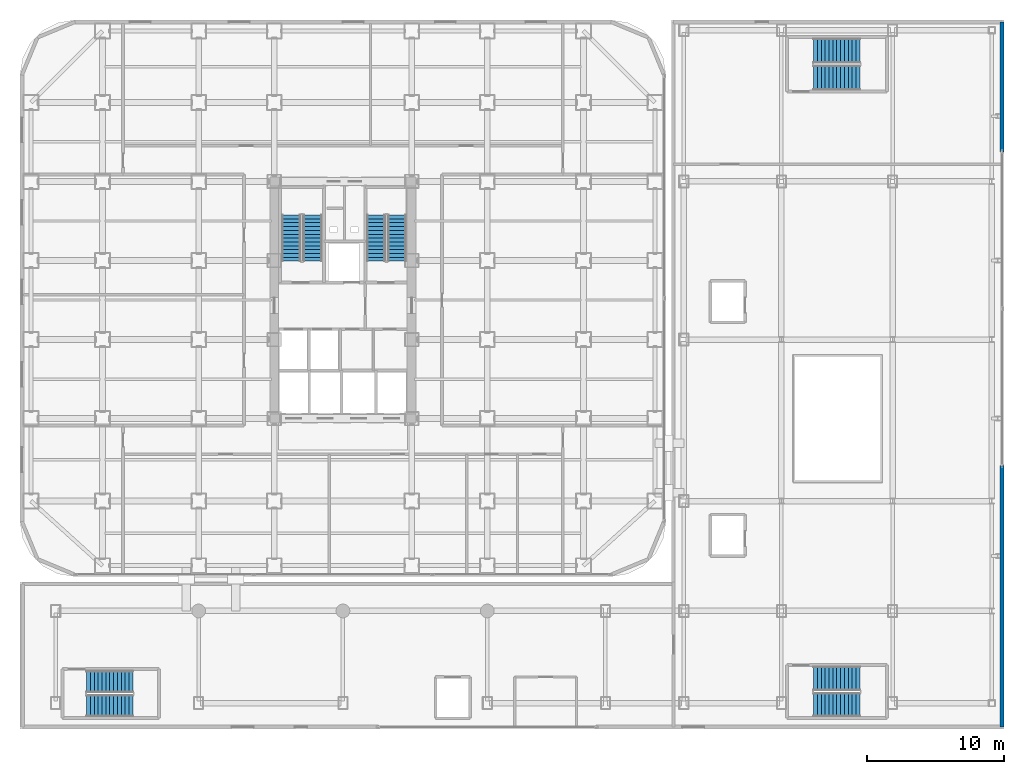
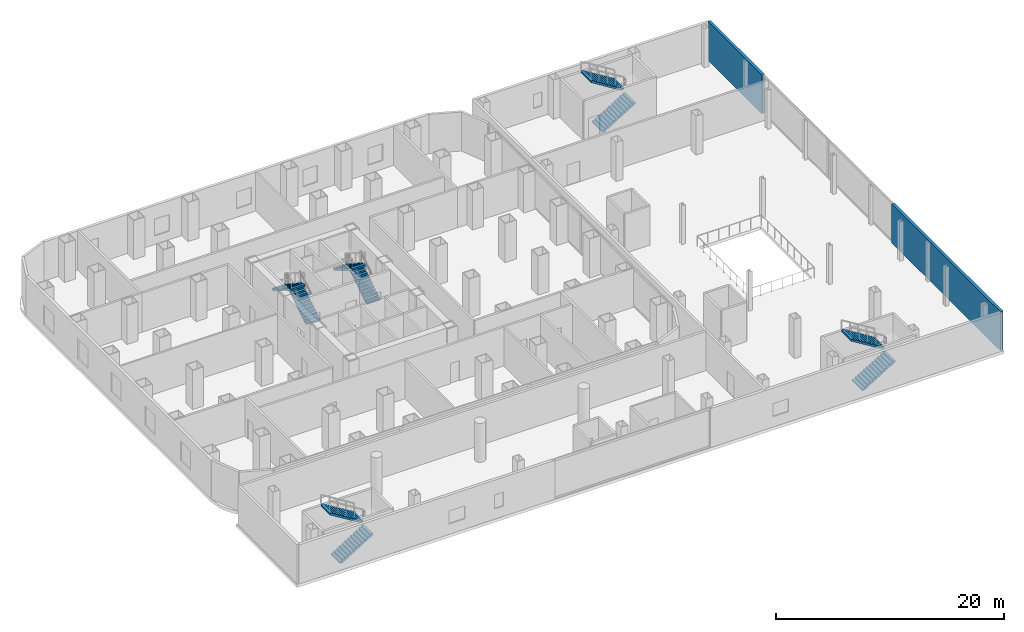
# One storey, part 22 of 26: 10 stair flights, 2 walls, 5 elements without a shape of their own.
"""IFC4 building model written with IfcOpenShell, lengths in metres."""

from ifc_helpers import new_model, si_unit, direction, frame, frame_2d, origin, place, context, subcontext, project, spatial, polyline, rectangle, outline, extrude, material, layer, layer_set, type_object, element, aggregate, save


model = new_model("IFC4")

# Units and contexts
model_context = context("Model", 3, precision=1e-05, world=origin(), true_north=direction((0.0, 1.0)))
body_context = subcontext(model_context, "Body", "Model", "MODEL_VIEW")
ifc_project = project(units=[si_unit("LENGTHUNIT", "METRE"), si_unit("AREAUNIT", "SQUARE_METRE"), si_unit("VOLUMEUNIT", "CUBIC_METRE"), si_unit("PLANEANGLEUNIT", "RADIAN"), si_unit("MASSUNIT", "GRAM", prefix="KILO")], contexts=[model_context])

# Site, building, storey
site_placement = place(None, origin())
site = spatial("IfcSite", under=ifc_project, at=site_placement, CompositionType="ELEMENT")
building_placement = place(site_placement, origin())
building = spatial("IfcBuilding", under=site, at=building_placement, Name="Kolveth Station Tower", CompositionType="ELEMENT")
storey_placement = place(building_placement, frame((0.0, 0.0, 9.0)))
storey = spatial("IfcBuildingStorey", under=building, at=storey_placement, Name="L02", CompositionType="ELEMENT", Elevation=9.0)

# Walls
ifc_material_1 = material(Name="Precast concrete C40/50", Category="concrete")
ifc_layer_1 = layer(ifc_material_1, 0.280029296875)
ifc_layer_set_1 = layer_set([ifc_layer_1], Name="Precast concrete C40/50")
wall_type = type_object("IfcWallType", Name="Wall_EW-280", PredefinedType="SOLIDWALL", material=ifc_layer_set_1)
wall_1_placement = place(storey_placement, frame((71.449951171875, -10.949951171875, 0.0), z_axis=(0.0, 0.0, 1.0), x_axis=(0.0, 1.0, 0.0)))
element("IfcWall", 1, at=wall_1_placement, inside=storey, type_object=wall_type, Name="L02 Station Exterior Wall E1", PredefinedType="SOLIDWALL", context=body_context, shape_type="SweptSolid", body=[
    extrude(rectangle(XDim=19.050048828125, YDim=0.280029296875, at=frame_2d((9.52490234375, 0.0))), origin(), (0.0, 0.0, 1.0), 4.179931640625),
])
wall_2_placement = place(storey_placement, frame((71.449951171875, 30.89990234375, 0.0), z_axis=(0.0, 0.0, 1.0), x_axis=(0.0, 1.0, 0.0)))
element("IfcWall", 2, at=wall_2_placement, inside=storey, type_object=wall_type, Name="L02 Station Exterior Wall E2", PredefinedType="SOLIDWALL", context=body_context, shape_type="SweptSolid", body=[
    extrude(rectangle(XDim=9.4501953125, YDim=0.280029296875, at=frame_2d((4.72509765625, 0.0))), origin(), (0.0, 0.0, 1.0), 4.179931640625),
])

# Stair, stair flights
ifc_material_2 = material(Name="Concrete C40/50", Category="concrete")
stair_type_1 = type_object("IfcStairType", Name="Stair_ST1", PredefinedType="HALF_TURN_STAIR", material=ifc_material_2)
stair_1_placement = place(storey_placement, origin())
stair_1 = element("IfcStair", 3, at=stair_1_placement, inside=storey, type_object=stair_type_1, Name="L02 Tower Exit Stair ST1", PredefinedType="HALF_TURN_STAIR")
ifc_layer_2 = layer(ifc_material_2, 0.179931640625)
ifc_layer_set_2 = layer_set([ifc_layer_2], Name="Concrete C40/50")
stair_flight_type_1 = type_object("IfcStairFlightType", Name="Flight_ST1", PredefinedType="STRAIGHT", material=ifc_layer_set_2)
stair_flight_1_placement = place(storey_placement, frame((21.300048828125, 22.949951171875, 0.0), z_axis=(0.0, 0.0, 1.0), x_axis=(0.0, 1.0, 0.0)))
stair_flight_1 = element("IfcStairFlight", 4, at=stair_flight_1_placement, type_object=stair_flight_type_1, Name="ST1 flight 1", NumberOfRisers=13, NumberOfTreads=12, PredefinedType="STRAIGHT", RiserHeight=0.173076923, TreadLength=0.28, context=body_context, shape_type="SweptSolid", body=[
    extrude(outline(polyline([(0.0, 0.0), (0.0, 0.173095703125), (0.280029296875, 0.173095703125), (0.280029296875, 0.34619140625), (0.56005859375, 0.34619140625), (0.56005859375, 0.519287109375), (0.840087890625, 0.519287109375), (0.840087890625, 0.6923828125), (1.1201171875, 0.6923828125), (1.1201171875, 0.865478515625), (1.39990234375, 0.865478515625), (1.39990234375, 1.03857421875), (1.679931640625, 1.03857421875), (1.679931640625, 1.21142578125), (1.9599609375, 1.21142578125), (1.9599609375, 1.384521484375), (2.239990234375, 1.384521484375), (2.239990234375, 1.5576171875), (2.52001953125, 1.5576171875), (2.52001953125, 1.730712890625), (2.800048828125, 1.730712890625), (2.800048828125, 1.90380859375), (3.080078125, 1.90380859375), (3.080078125, 2.076904296875), (3.360107421875, 2.076904296875), (3.360107421875, 2.25), (3.360107421875, 1.900634765625), (0.28515625, 0.0), (0.0, 0.0)])), frame((0.0, 0.699951171875, 0.0), z_axis=(0.0, -1.0, 0.0), x_axis=(1.0, 0.0, 0.0)), (0.0, 0.0, 1.0), 1.39990234375),
])
stair_flight_2_placement = place(storey_placement, frame((19.739990234375, 26.31005859375, 2.25), z_axis=(0.0, 0.0, 1.0), x_axis=(0.0, -1.0, 0.0)))
stair_flight_2 = element("IfcStairFlight", 5, at=stair_flight_2_placement, type_object=stair_flight_type_1, Name="ST1 flight 2", NumberOfRisers=13, NumberOfTreads=12, PredefinedType="STRAIGHT", RiserHeight=0.173076923, TreadLength=0.28, context=body_context, shape_type="SweptSolid", body=[
    extrude(outline(polyline([(0.0, 0.0), (0.0, 0.173095703125), (0.280029296875, 0.173095703125), (0.280029296875, 0.34619140625), (0.56005859375, 0.34619140625), (0.56005859375, 0.519287109375), (0.840087890625, 0.519287109375), (0.840087890625, 0.6923828125), (1.1201171875, 0.6923828125), (1.1201171875, 0.865478515625), (1.39990234375, 0.865478515625), (1.39990234375, 1.03857421875), (1.679931640625, 1.03857421875), (1.679931640625, 1.21142578125), (1.9599609375, 1.21142578125), (1.9599609375, 1.384521484375), (2.239990234375, 1.384521484375), (2.239990234375, 1.5576171875), (2.52001953125, 1.5576171875), (2.52001953125, 1.730712890625), (2.800048828125, 1.730712890625), (2.800048828125, 1.90380859375), (3.080078125, 1.90380859375), (3.080078125, 2.076904296875), (3.360107421875, 2.076904296875), (3.360107421875, 2.25), (3.360107421875, 1.900634765625), (0.28515625, 0.0), (0.0, 0.0)])), frame((0.0, 0.699951171875, 0.0), z_axis=(0.0, -1.0, 0.0), x_axis=(1.0, 0.0, 0.0)), (0.0, 0.0, 1.0), 1.39990234375),
])
aggregate(stair_1, [stair_flight_1, stair_flight_2])

stair_type_2 = type_object("IfcStairType", Name="Stair_ST2", PredefinedType="HALF_TURN_STAIR", material=ifc_material_2)
stair_2_placement = place(storey_placement, origin())
stair_2 = element("IfcStair", 6, at=stair_2_placement, inside=storey, type_object=stair_type_2, Name="L02 Tower Exit Stair ST2", PredefinedType="HALF_TURN_STAIR")
ifc_layer_3 = layer(ifc_material_2, 0.179931640625)
ifc_layer_set_3 = layer_set([ifc_layer_3], Name="Concrete C40/50")
stair_flight_type_2 = type_object("IfcStairFlightType", Name="Flight_ST2", PredefinedType="STRAIGHT", material=ifc_layer_set_3)
stair_flight_3_placement = place(storey_placement, frame((27.425048828125, 22.949951171875, 0.0), z_axis=(0.0, 0.0, 1.0), x_axis=(0.0, 1.0, 0.0)))
stair_flight_3 = element("IfcStairFlight", 7, at=stair_flight_3_placement, type_object=stair_flight_type_2, Name="ST2 flight 1", NumberOfRisers=13, NumberOfTreads=12, PredefinedType="STRAIGHT", RiserHeight=0.173076923, TreadLength=0.28, context=body_context, shape_type="SweptSolid", body=[
    extrude(outline(polyline([(0.0, 0.0), (0.0, 0.173095703125), (0.280029296875, 0.173095703125), (0.280029296875, 0.34619140625), (0.56005859375, 0.34619140625), (0.56005859375, 0.519287109375), (0.840087890625, 0.519287109375), (0.840087890625, 0.6923828125), (1.1201171875, 0.6923828125), (1.1201171875, 0.865478515625), (1.39990234375, 0.865478515625), (1.39990234375, 1.03857421875), (1.679931640625, 1.03857421875), (1.679931640625, 1.21142578125), (1.9599609375, 1.21142578125), (1.9599609375, 1.384521484375), (2.239990234375, 1.384521484375), (2.239990234375, 1.5576171875), (2.52001953125, 1.5576171875), (2.52001953125, 1.730712890625), (2.800048828125, 1.730712890625), (2.800048828125, 1.90380859375), (3.080078125, 1.90380859375), (3.080078125, 2.076904296875), (3.360107421875, 2.076904296875), (3.360107421875, 2.25), (3.360107421875, 1.900634765625), (0.28515625, 0.0), (0.0, 0.0)])), frame((0.0, 0.675048828125, 0.0), z_axis=(0.0, -1.0, 0.0), x_axis=(1.0, 0.0, 0.0)), (0.0, 0.0, 1.0), 1.35009765625),
])
stair_flight_4_placement = place(storey_placement, frame((25.9150390625, 26.31005859375, 2.25), z_axis=(0.0, 0.0, 1.0), x_axis=(0.0, -1.0, 0.0)))
stair_flight_4 = element("IfcStairFlight", 8, at=stair_flight_4_placement, type_object=stair_flight_type_2, Name="ST2 flight 2", NumberOfRisers=13, NumberOfTreads=12, PredefinedType="STRAIGHT", RiserHeight=0.173076923, TreadLength=0.28, context=body_context, shape_type="SweptSolid", body=[
    extrude(outline(polyline([(0.0, 0.0), (0.0, 0.173095703125), (0.280029296875, 0.173095703125), (0.280029296875, 0.34619140625), (0.56005859375, 0.34619140625), (0.56005859375, 0.519287109375), (0.840087890625, 0.519287109375), (0.840087890625, 0.6923828125), (1.1201171875, 0.6923828125), (1.1201171875, 0.865478515625), (1.39990234375, 0.865478515625), (1.39990234375, 1.03857421875), (1.679931640625, 1.03857421875), (1.679931640625, 1.21142578125), (1.9599609375, 1.21142578125), (1.9599609375, 1.384521484375), (2.239990234375, 1.384521484375), (2.239990234375, 1.5576171875), (2.52001953125, 1.5576171875), (2.52001953125, 1.730712890625), (2.800048828125, 1.730712890625), (2.800048828125, 1.90380859375), (3.080078125, 1.90380859375), (3.080078125, 2.076904296875), (3.360107421875, 2.076904296875), (3.360107421875, 2.25), (3.360107421875, 1.900634765625), (0.28515625, 0.0), (0.0, 0.0)])), frame((0.0, 0.675048828125, 0.0), z_axis=(0.0, -1.0, 0.0), x_axis=(1.0, 0.0, 0.0)), (0.0, 0.0, 1.0), 1.35009765625),
])
aggregate(stair_2, [stair_flight_3, stair_flight_4])

stair_type_3 = type_object("IfcStairType", Name="Stair_ST3", PredefinedType="HALF_TURN_STAIR", material=ifc_material_2)
stair_3_placement = place(storey_placement, origin())
stair_3 = element("IfcStair", 9, at=stair_3_placement, inside=storey, type_object=stair_type_3, Name="L02 Station North Exit Stair ST3", PredefinedType="HALF_TURN_STAIR")
ifc_layer_4 = layer(ifc_material_2, 0.179931640625)
ifc_layer_set_4 = layer_set([ifc_layer_4], Name="Concrete C40/50")
stair_flight_type_3 = type_object("IfcStairFlightType", Name="Flight_ST3", PredefinedType="STRAIGHT", material=ifc_layer_set_4)
stair_flight_5_placement = place(storey_placement, frame((57.75, 36.300048828125, 0.0), z_axis=(0.0, 0.0, 1.0), x_axis=(1.0, 0.0, 0.0)))
stair_flight_5 = element("IfcStairFlight", 10, at=stair_flight_5_placement, type_object=stair_flight_type_3, Name="ST3 flight 1", NumberOfRisers=13, NumberOfTreads=12, PredefinedType="STRAIGHT", RiserHeight=0.173076923, TreadLength=0.28, context=body_context, shape_type="SweptSolid", body=[
    extrude(outline(polyline([(0.0, 0.0), (0.0, 0.173095703125), (0.280029296875, 0.173095703125), (0.280029296875, 0.34619140625), (0.56005859375, 0.34619140625), (0.56005859375, 0.519287109375), (0.840087890625, 0.519287109375), (0.840087890625, 0.6923828125), (1.1201171875, 0.6923828125), (1.1201171875, 0.865478515625), (1.39990234375, 0.865478515625), (1.39990234375, 1.03857421875), (1.679931640625, 1.03857421875), (1.679931640625, 1.21142578125), (1.9599609375, 1.21142578125), (1.9599609375, 1.384521484375), (2.239990234375, 1.384521484375), (2.239990234375, 1.5576171875), (2.52001953125, 1.5576171875), (2.52001953125, 1.730712890625), (2.800048828125, 1.730712890625), (2.800048828125, 1.90380859375), (3.080078125, 1.90380859375), (3.080078125, 2.076904296875), (3.360107421875, 2.076904296875), (3.360107421875, 2.25), (3.360107421875, 1.900634765625), (0.28515625, 0.0), (0.0, 0.0)])), frame((0.0, 0.89990234375, 0.0), z_axis=(0.0, -1.0, 0.0), x_axis=(1.0, 0.0, 0.0)), (0.0, 0.0, 1.0), 1.800048828125),
])
stair_flight_6_placement = place(storey_placement, frame((61.110107421875, 38.260009765625, 2.25), z_axis=(0.0, 0.0, 1.0), x_axis=(-1.0, 0.0, 0.0)))
stair_flight_6 = element("IfcStairFlight", 11, at=stair_flight_6_placement, type_object=stair_flight_type_3, Name="ST3 flight 2", NumberOfRisers=13, NumberOfTreads=12, PredefinedType="STRAIGHT", RiserHeight=0.173076923, TreadLength=0.28, context=body_context, shape_type="SweptSolid", body=[
    extrude(outline(polyline([(0.0, 0.0), (0.0, 0.173095703125), (0.280029296875, 0.173095703125), (0.280029296875, 0.34619140625), (0.56005859375, 0.34619140625), (0.56005859375, 0.519287109375), (0.840087890625, 0.519287109375), (0.840087890625, 0.6923828125), (1.1201171875, 0.6923828125), (1.1201171875, 0.865478515625), (1.39990234375, 0.865478515625), (1.39990234375, 1.03857421875), (1.679931640625, 1.03857421875), (1.679931640625, 1.21142578125), (1.9599609375, 1.21142578125), (1.9599609375, 1.384521484375), (2.239990234375, 1.384521484375), (2.239990234375, 1.5576171875), (2.52001953125, 1.5576171875), (2.52001953125, 1.730712890625), (2.800048828125, 1.730712890625), (2.800048828125, 1.90380859375), (3.080078125, 1.90380859375), (3.080078125, 2.076904296875), (3.360107421875, 2.076904296875), (3.360107421875, 2.25), (3.360107421875, 1.900634765625), (0.28515625, 0.0), (0.0, 0.0)])), frame((0.0, 0.89990234375, 0.0), z_axis=(0.0, -1.0, 0.0), x_axis=(1.0, 0.0, 0.0)), (0.0, 0.0, 1.0), 1.800048828125),
])
aggregate(stair_3, [stair_flight_5, stair_flight_6])

stair_type_4 = type_object("IfcStairType", Name="Stair_ST4", PredefinedType="HALF_TURN_STAIR", material=ifc_material_2)
stair_4_placement = place(storey_placement, origin())
stair_4 = element("IfcStair", 12, at=stair_4_placement, inside=storey, type_object=stair_type_4, Name="L02 Station South-East Exit Stair ST4", PredefinedType="HALF_TURN_STAIR")
ifc_layer_5 = layer(ifc_material_2, 0.179931640625)
ifc_layer_set_5 = layer_set([ifc_layer_5], Name="Concrete C40/50")
stair_flight_type_4 = type_object("IfcStairFlightType", Name="Flight_ST4", PredefinedType="STRAIGHT", material=ifc_layer_set_5)
stair_flight_7_placement = place(storey_placement, frame((57.75, -9.324951171875, 0.0), z_axis=(0.0, 0.0, 1.0), x_axis=(1.0, 0.0, 0.0)))
stair_flight_7 = element("IfcStairFlight", 13, at=stair_flight_7_placement, type_object=stair_flight_type_4, Name="ST4 flight 1", NumberOfRisers=13, NumberOfTreads=12, PredefinedType="STRAIGHT", RiserHeight=0.173076923, TreadLength=0.28, context=body_context, shape_type="SweptSolid", body=[
    extrude(outline(polyline([(0.0, 0.0), (0.0, 0.173095703125), (0.280029296875, 0.173095703125), (0.280029296875, 0.34619140625), (0.56005859375, 0.34619140625), (0.56005859375, 0.519287109375), (0.840087890625, 0.519287109375), (0.840087890625, 0.6923828125), (1.1201171875, 0.6923828125), (1.1201171875, 0.865478515625), (1.39990234375, 0.865478515625), (1.39990234375, 1.03857421875), (1.679931640625, 1.03857421875), (1.679931640625, 1.21142578125), (1.9599609375, 1.21142578125), (1.9599609375, 1.384521484375), (2.239990234375, 1.384521484375), (2.239990234375, 1.5576171875), (2.52001953125, 1.5576171875), (2.52001953125, 1.730712890625), (2.800048828125, 1.730712890625), (2.800048828125, 1.90380859375), (3.080078125, 1.90380859375), (3.080078125, 2.076904296875), (3.360107421875, 2.076904296875), (3.360107421875, 2.25), (3.360107421875, 1.900634765625), (0.28515625, 0.0), (0.0, 0.0)])), frame((0.0, 0.875, 0.0), z_axis=(0.0, -1.0, 0.0), x_axis=(1.0, 0.0, 0.0)), (0.0, 0.0, 1.0), 1.75),
])
stair_flight_8_placement = place(storey_placement, frame((61.110107421875, -7.4150390625, 2.25), z_axis=(0.0, 0.0, 1.0), x_axis=(-1.0, 0.0, 0.0)))
stair_flight_8 = element("IfcStairFlight", 14, at=stair_flight_8_placement, type_object=stair_flight_type_4, Name="ST4 flight 2", NumberOfRisers=13, NumberOfTreads=12, PredefinedType="STRAIGHT", RiserHeight=0.173076923, TreadLength=0.28, context=body_context, shape_type="SweptSolid", body=[
    extrude(outline(polyline([(0.0, 0.0), (0.0, 0.173095703125), (0.280029296875, 0.173095703125), (0.280029296875, 0.34619140625), (0.56005859375, 0.34619140625), (0.56005859375, 0.519287109375), (0.840087890625, 0.519287109375), (0.840087890625, 0.6923828125), (1.1201171875, 0.6923828125), (1.1201171875, 0.865478515625), (1.39990234375, 0.865478515625), (1.39990234375, 1.03857421875), (1.679931640625, 1.03857421875), (1.679931640625, 1.21142578125), (1.9599609375, 1.21142578125), (1.9599609375, 1.384521484375), (2.239990234375, 1.384521484375), (2.239990234375, 1.5576171875), (2.52001953125, 1.5576171875), (2.52001953125, 1.730712890625), (2.800048828125, 1.730712890625), (2.800048828125, 1.90380859375), (3.080078125, 1.90380859375), (3.080078125, 2.076904296875), (3.360107421875, 2.076904296875), (3.360107421875, 2.25), (3.360107421875, 1.900634765625), (0.28515625, 0.0), (0.0, 0.0)])), frame((0.0, 0.875, 0.0), z_axis=(0.0, -1.0, 0.0), x_axis=(1.0, 0.0, 0.0)), (0.0, 0.0, 1.0), 1.75),
])
aggregate(stair_4, [stair_flight_7, stair_flight_8])

stair_type_5 = type_object("IfcStairType", Name="Stair_ST5", PredefinedType="HALF_TURN_STAIR", material=ifc_material_2)
stair_5_placement = place(storey_placement, origin())
stair_5 = element("IfcStair", 15, at=stair_5_placement, inside=storey, type_object=stair_type_5, Name="L02 Station West Concourse Stair ST5", PredefinedType="HALF_TURN_STAIR")
ifc_layer_6 = layer(ifc_material_2, 0.179931640625)
ifc_layer_set_6 = layer_set([ifc_layer_6], Name="Concrete C40/50")
stair_flight_type_5 = type_object("IfcStairFlightType", Name="Flight_ST5", PredefinedType="STRAIGHT", material=ifc_layer_set_6)
stair_flight_9_placement = place(storey_placement, frame((4.85009765625, -9.39990234375, 0.0), z_axis=(0.0, 0.0, 1.0), x_axis=(1.0, 0.0, 0.0)))
stair_flight_9 = element("IfcStairFlight", 16, at=stair_flight_9_placement, type_object=stair_flight_type_5, Name="ST5 flight 1", NumberOfRisers=13, NumberOfTreads=12, PredefinedType="STRAIGHT", RiserHeight=0.173076923, TreadLength=0.28, context=body_context, shape_type="SweptSolid", body=[
    extrude(outline(polyline([(0.0, 0.0), (0.0, 0.173095703125), (0.280029296875, 0.173095703125), (0.280029296875, 0.34619140625), (0.56005859375, 0.34619140625), (0.56005859375, 0.519287109375), (0.840087890625, 0.519287109375), (0.840087890625, 0.6923828125), (1.1201171875, 0.6923828125), (1.1201171875, 0.865478515625), (1.39990234375, 0.865478515625), (1.39990234375, 1.03857421875), (1.679931640625, 1.03857421875), (1.679931640625, 1.21142578125), (1.9599609375, 1.21142578125), (1.9599609375, 1.384521484375), (2.239990234375, 1.384521484375), (2.239990234375, 1.5576171875), (2.52001953125, 1.5576171875), (2.52001953125, 1.730712890625), (2.800048828125, 1.730712890625), (2.800048828125, 1.90380859375), (3.080078125, 1.90380859375), (3.080078125, 2.076904296875), (3.360107421875, 2.076904296875), (3.360107421875, 2.25), (3.360107421875, 1.900634765625), (0.28515625, 0.0), (0.0, 0.0)])), frame((0.0, 0.800048828125, 0.0), z_axis=(0.0, -1.0, 0.0), x_axis=(1.0, 0.0, 0.0)), (0.0, 0.0, 1.0), 1.60009765625),
])
stair_flight_10_placement = place(storey_placement, frame((8.2099609375, -7.639892578125, 2.25), z_axis=(0.0, 0.0, 1.0), x_axis=(-1.0, 0.0, 0.0)))
stair_flight_10 = element("IfcStairFlight", 17, at=stair_flight_10_placement, type_object=stair_flight_type_5, Name="ST5 flight 2", NumberOfRisers=13, NumberOfTreads=12, PredefinedType="STRAIGHT", RiserHeight=0.173076923, TreadLength=0.28, context=body_context, shape_type="SweptSolid", body=[
    extrude(outline(polyline([(0.0, 0.0), (0.0, 0.173095703125), (0.280029296875, 0.173095703125), (0.280029296875, 0.34619140625), (0.56005859375, 0.34619140625), (0.56005859375, 0.519287109375), (0.840087890625, 0.519287109375), (0.840087890625, 0.6923828125), (1.1201171875, 0.6923828125), (1.1201171875, 0.865478515625), (1.39990234375, 0.865478515625), (1.39990234375, 1.03857421875), (1.679931640625, 1.03857421875), (1.679931640625, 1.21142578125), (1.9599609375, 1.21142578125), (1.9599609375, 1.384521484375), (2.239990234375, 1.384521484375), (2.239990234375, 1.5576171875), (2.52001953125, 1.5576171875), (2.52001953125, 1.730712890625), (2.800048828125, 1.730712890625), (2.800048828125, 1.90380859375), (3.080078125, 1.90380859375), (3.080078125, 2.076904296875), (3.360107421875, 2.076904296875), (3.360107421875, 2.25), (3.360107421875, 1.900634765625), (0.28515625, 0.0), (0.0, 0.0)])), frame((0.0, 0.800048828125, 0.0), z_axis=(0.0, -1.0, 0.0), x_axis=(1.0, 0.0, 0.0)), (0.0, 0.0, 1.0), 1.60009765625),
])
aggregate(stair_5, [stair_flight_9, stair_flight_10])

save(model, "model.ifc")
